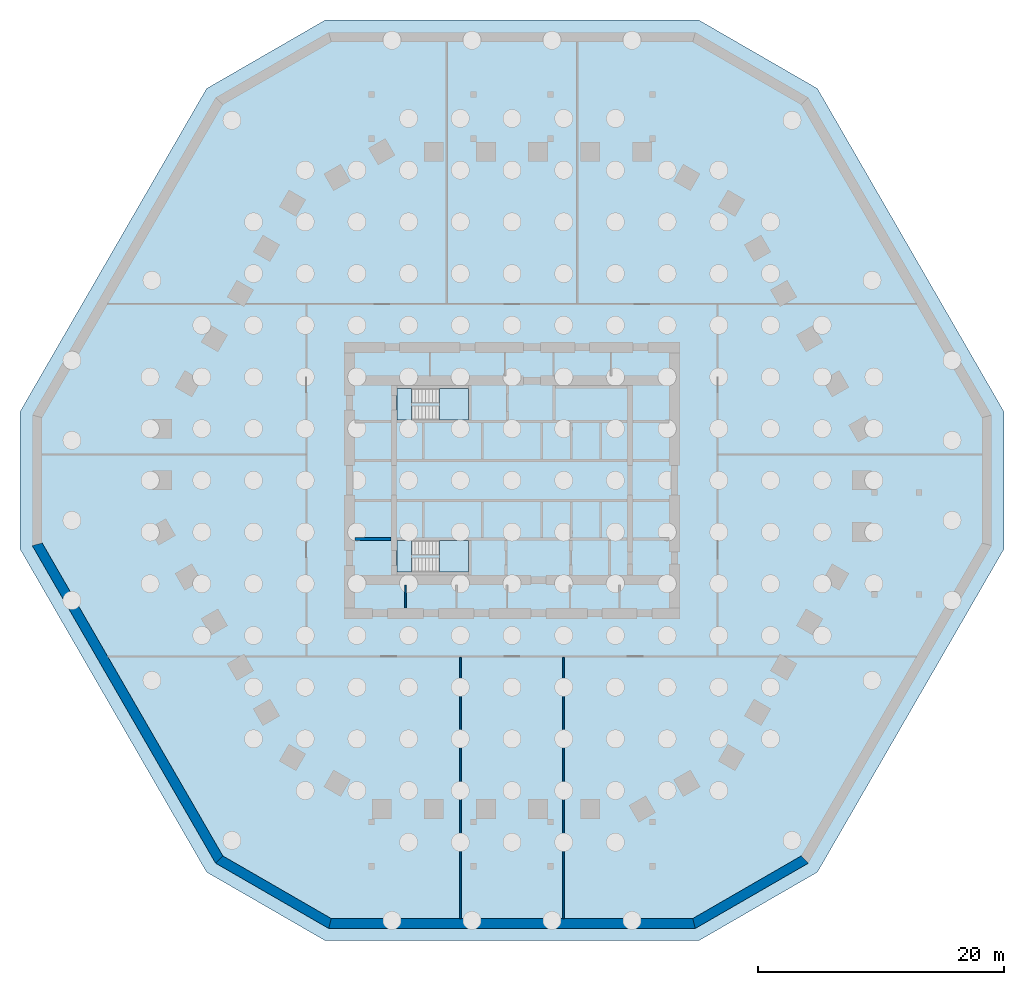
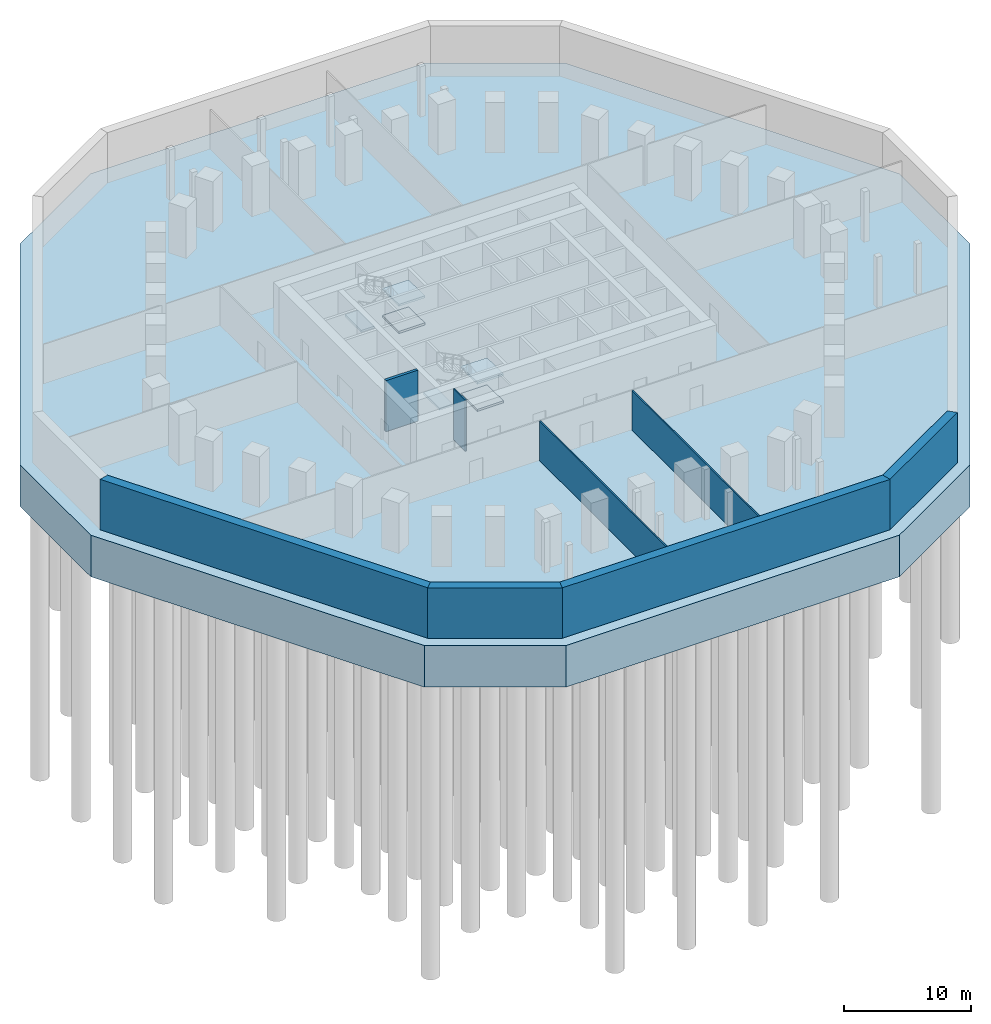
# One storey, part 2 of 6: 8 walls, 7 slabs, 2 elements without a shape of their own.
"""IFC4 building model written with IfcOpenShell, lengths in metres."""

from ifc_helpers import new_model, si_unit, direction, frame, frame_2d, origin, place, context, subcontext, project, spatial, polyline, rectangle, outline, extrude, material, layer, layer_set, type_object, element, aggregate, save


model = new_model("IFC4")

# Units and contexts
model_context = context("Model", 3, precision=1e-05, world=origin(), true_north=direction((0.0, 1.0)))
body_context = subcontext(model_context, "Body", "Model", "MODEL_VIEW")
ifc_project = project(units=[si_unit("LENGTHUNIT", "METRE"), si_unit("AREAUNIT", "SQUARE_METRE"), si_unit("VOLUMEUNIT", "CUBIC_METRE"), si_unit("PLANEANGLEUNIT", "RADIAN"), si_unit("MASSUNIT", "GRAM", prefix="KILO")], contexts=[model_context])

# Site, building, storey
site_placement = place(None, origin())
site = spatial("IfcSite", under=ifc_project, at=site_placement, CompositionType="ELEMENT")
building_placement = place(site_placement, origin())
building = spatial("IfcBuilding", under=site, at=building_placement, Name="Frailejon Research Tower", CompositionType="ELEMENT")
storey_placement = place(building_placement, frame((0.0, 0.0, -5.199951171875)))
storey = spatial("IfcBuildingStorey", under=building, at=storey_placement, Name="B1", CompositionType="ELEMENT", Elevation=-5.199951171875)

# Slab
ifc_material_1 = material(Name="Concrete C40/50", Category="concrete")
ifc_layer_1 = layer(ifc_material_1, 4.0)
ifc_layer_set_1 = layer_set([ifc_layer_1], Name="Raft 4000")
slab_type_1 = type_object("IfcSlabType", Name="Raft 4000", PredefinedType="BASESLAB", material=ifc_layer_set_1)
slab_1_placement = place(storey_placement, frame((0.0, 0.0, -4.0)))
element("IfcSlab", 1, at=slab_1_placement, inside=storey, type_object=slab_type_1, Name="Piled raft", PredefinedType="BASESLAB", context=body_context, shape_type="SweptSolid", body=[
    extrude(outline(polyline([(39.96923828125, -5.5712890625), (39.96923828125, 5.5712890625), (24.8095703125, 31.82861328125), (15.15966796875, 37.39990234375), (-15.15966796875, 37.39990234375), (-24.8095703125, 31.82861328125), (-39.96923828125, 5.5712890625), (-39.96923828125, -5.5712890625), (-24.8095703125, -31.82861328125), (-15.15966796875, -37.39990234375), (15.15966796875, -37.39990234375), (24.8095703125, -31.82861328125), (39.96923828125, -5.5712890625)])), origin(), (0.0, 0.0, 1.0), 4.0),
])

# Stair, slabs
ifc_material_2 = material(Name="Concrete C50/60", Category="concrete")
stair_type = type_object("IfcStairType", Name="Exit stair 36 risers", PredefinedType="HALF_TURN_STAIR", material=ifc_material_2)
stair_1_placement = place(storey_placement, origin())
stair_1 = element("IfcStair", 2, at=stair_1_placement, inside=storey, type_object=stair_type, Name="B1 Exit stair ST1", PredefinedType="HALF_TURN_STAIR")
ifc_material_3 = material(Name="Concrete C50/60", Category="concrete")
ifc_layer_2 = layer(ifc_material_3, 0.199951171875)
ifc_layer_set_2 = layer_set([ifc_layer_2], Name="Stair landing slab 200")
slab_type_2 = type_object("IfcSlabType", Name="Stair landing slab 200", PredefinedType="LANDING", material=ifc_layer_set_2)
slab_2_placement = place(storey_placement, frame((0.0, 0.0, 1.099853515625)))
slab_2 = element("IfcSlab", 3, at=slab_2_placement, type_object=slab_type_2, Name="ST1 landing 1", PredefinedType="LANDING", context=body_context, shape_type="SweptSolid", body=[
    extrude(outline(polyline([(-5.909912109375, 4.89990234375), (-3.550048828125, 4.89990234375), (-3.550048828125, 7.449951171875), (-5.909912109375, 7.449951171875), (-5.909912109375, 4.89990234375)])), origin(), (0.0, 0.0, 1.0), 0.2001953125),
])
slab_3_placement = place(storey_placement, frame((0.0, 0.0, 2.39990234375)))
slab_3 = element("IfcSlab", 4, at=slab_3_placement, type_object=slab_type_2, Name="ST1 landing 2", PredefinedType="LANDING", context=body_context, shape_type="SweptSolid", body=[
    extrude(outline(polyline([(-9.35009765625, 4.89990234375), (-8.14990234375, 4.89990234375), (-8.14990234375, 7.449951171875), (-9.35009765625, 7.449951171875), (-9.35009765625, 4.89990234375)])), origin(), (0.0, 0.0, 1.0), 0.199951171875),
])
slab_4_placement = place(storey_placement, frame((0.0, 0.0, 3.699951171875)))
slab_4 = element("IfcSlab", 5, at=slab_4_placement, type_object=slab_type_2, Name="ST1 landing 3", PredefinedType="LANDING", context=body_context, shape_type="SweptSolid", body=[
    extrude(outline(polyline([(-5.909912109375, 4.89990234375), (-3.550048828125, 4.89990234375), (-3.550048828125, 7.449951171875), (-5.909912109375, 7.449951171875), (-5.909912109375, 4.89990234375)])), origin(), (0.0, 0.0, 1.0), 0.199951171875),
])
aggregate(stair_1, [slab_2, slab_3, slab_4])

stair_2_placement = place(storey_placement, origin())
stair_2 = element("IfcStair", 6, at=stair_2_placement, inside=storey, type_object=stair_type, Name="B1 Exit stair ST2", PredefinedType="HALF_TURN_STAIR")
slab_5_placement = place(storey_placement, frame((0.0, 0.0, 1.099853515625)))
slab_5 = element("IfcSlab", 7, at=slab_5_placement, type_object=slab_type_2, Name="ST2 landing 1", PredefinedType="LANDING", context=body_context, shape_type="SweptSolid", body=[
    extrude(outline(polyline([(-5.909912109375, -7.449951171875), (-3.550048828125, -7.449951171875), (-3.550048828125, -4.89990234375), (-5.909912109375, -4.89990234375), (-5.909912109375, -7.449951171875)])), origin(), (0.0, 0.0, 1.0), 0.2001953125),
])
slab_6_placement = place(storey_placement, frame((0.0, 0.0, 2.39990234375)))
slab_6 = element("IfcSlab", 8, at=slab_6_placement, type_object=slab_type_2, Name="ST2 landing 2", PredefinedType="LANDING", context=body_context, shape_type="SweptSolid", body=[
    extrude(outline(polyline([(-9.35009765625, -7.449951171875), (-8.14990234375, -7.449951171875), (-8.14990234375, -4.89990234375), (-9.35009765625, -4.89990234375), (-9.35009765625, -7.449951171875)])), origin(), (0.0, 0.0, 1.0), 0.199951171875),
])
slab_7_placement = place(storey_placement, frame((0.0, 0.0, 3.699951171875)))
slab_7 = element("IfcSlab", 9, at=slab_7_placement, type_object=slab_type_2, Name="ST2 landing 3", PredefinedType="LANDING", context=body_context, shape_type="SweptSolid", body=[
    extrude(outline(polyline([(-5.909912109375, -7.449951171875), (-3.550048828125, -7.449951171875), (-3.550048828125, -4.89990234375), (-5.909912109375, -4.89990234375), (-5.909912109375, -7.449951171875)])), origin(), (0.0, 0.0, 1.0), 0.199951171875),
])
aggregate(stair_2, [slab_5, slab_6, slab_7])

# Walls
ifc_material_4 = material(Name="Concrete C50/60", Category="concrete")
ifc_layer_3 = layer(ifc_material_4, 0.800048828125)
ifc_layer_set_3 = layer_set([ifc_layer_3], Name="Basement wall 800")
wall_type_1 = type_object("IfcWallType", Name="Basement wall 800", PredefinedType="SOLIDWALL", material=ifc_layer_set_3)
wall_1_placement = place(storey_placement, origin())
element("IfcWall", 10, at=wall_1_placement, inside=storey, type_object=wall_type_1, Name="Basement retaining wall", PredefinedType="SOLIDWALL", context=body_context, shape_type="SweptSolid", body=[
    extrude(outline(polyline([(-38.96923828125, -5.30322265625), (-24.077392578125, -31.0966796875), (-23.49169921875, -30.510986328125), (-38.169189453125, -5.089111328125), (-38.96923828125, -5.30322265625)])), origin(), (0.0, 0.0, 1.0), 4.849853515625),
])
wall_2_placement = place(storey_placement, origin())
element("IfcWall", 11, at=wall_2_placement, inside=storey, type_object=wall_type_1, Name="Basement retaining wall", PredefinedType="SOLIDWALL", context=body_context, shape_type="SweptSolid", body=[
    extrude(outline(polyline([(-24.077392578125, -31.0966796875), (-14.891845703125, -36.39990234375), (-14.677490234375, -35.60009765625), (-23.49169921875, -30.510986328125), (-24.077392578125, -31.0966796875)])), origin(), (0.0, 0.0, 1.0), 4.849853515625),
])
wall_3_placement = place(storey_placement, origin())
element("IfcWall", 12, at=wall_3_placement, inside=storey, type_object=wall_type_1, Name="Basement retaining wall", PredefinedType="SOLIDWALL", context=body_context, shape_type="SweptSolid", body=[
    extrude(outline(polyline([(-14.891845703125, -36.39990234375), (14.891845703125, -36.39990234375), (14.677490234375, -35.60009765625), (-14.677490234375, -35.60009765625), (-14.891845703125, -36.39990234375)])), origin(), (0.0, 0.0, 1.0), 4.849853515625),
])
wall_4_placement = place(storey_placement, origin())
element("IfcWall", 13, at=wall_4_placement, inside=storey, type_object=wall_type_1, Name="Basement retaining wall", PredefinedType="SOLIDWALL", context=body_context, shape_type="SweptSolid", body=[
    extrude(outline(polyline([(14.891845703125, -36.39990234375), (24.077392578125, -31.0966796875), (23.49169921875, -30.510986328125), (14.677490234375, -35.60009765625), (14.891845703125, -36.39990234375)])), origin(), (0.0, 0.0, 1.0), 4.849853515625),
])
ifc_material_5 = material(Name="Plasterboard on steel studs", Category="steel")
ifc_layer_4 = layer(ifc_material_5, 0.125)
ifc_layer_set_4 = layer_set([ifc_layer_4], Name="Core partition 125")
wall_type_2 = type_object("IfcWallType", Name="Core partition 125", PredefinedType="PARTITIONING", material=ifc_layer_set_4)
wall_5_placement = place(storey_placement, frame((-8.637451171875, -10.35009765625, 0.0), z_axis=(0.0, 0.0, 1.0), x_axis=(0.0, 1.0, 0.0)))
element("IfcWall", 14, at=wall_5_placement, inside=storey, type_object=wall_type_2, Name="Core partition", PredefinedType="PARTITIONING", context=body_context, shape_type="SweptSolid", body=[
    extrude(rectangle(XDim=1.85009765625, YDim=0.125, at=frame_2d((0.925048828125, 0.0))), origin(), (0.0, 0.0, 1.0), 4.89990234375),
])
for number, where, z_axis, x_axis, name in (
    (15, (-4.199951171875, -35.60009765625, 0.0), (0.0, 0.0, 1.0), (0.0, 1.0, 0.0), "Core partition"),
    (16, (4.199951171875, -35.60009765625, 0.0), (0.0, 0.0, 1.0), (0.0, 1.0, 0.0), "Core partition"),
):
    element("IfcWall", number, at=place(storey_placement, frame(where, z_axis=z_axis, x_axis=x_axis)), inside=storey, type_object=wall_type_2, Name=name, PredefinedType="PARTITIONING", context=body_context, shape_type="SweptSolid", body=[
        extrude(rectangle(XDim=21.22509765625, YDim=0.125, at=frame_2d((10.612548828125, 0.0))), origin(), (0.0, 0.0, 1.0), 3.800048828125),
    ])
ifc_material_6 = material(Name="Concrete C70/85", Category="concrete")
ifc_layer_5 = layer(ifc_material_6, 0.25)
ifc_layer_set_5 = layer_set([ifc_layer_5], Name="Shaft wall 250 C70/85")
wall_type_3 = type_object("IfcWallType", Name="Shaft wall 250 C70/85", PredefinedType="SOLIDWALL", material=ifc_layer_set_5)
wall_6_placement = place(storey_placement, frame((-12.75, -4.77490234375, 0.0), z_axis=(0.0, 0.0, 1.0), x_axis=(1.0, 0.0, 0.0)))
element("IfcWall", 17, at=wall_6_placement, inside=storey, type_object=wall_type_3, Name="Shaft wall", PredefinedType="SOLIDWALL", context=body_context, shape_type="SweptSolid", body=[
    extrude(rectangle(XDim=2.89990234375, YDim=0.25, at=frame_2d((1.449951171875, 0.0))), origin(), (0.0, 0.0, 1.0), 4.89990234375),
])

save(model, "model.ifc")
